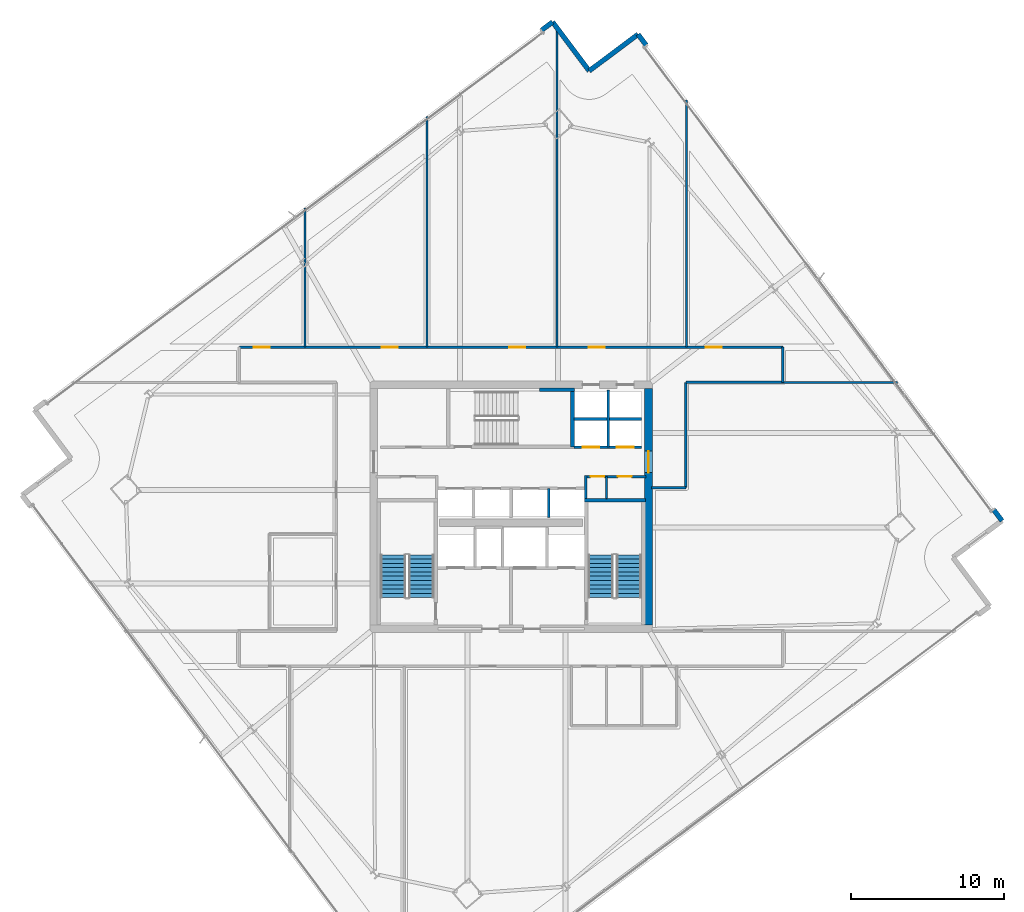
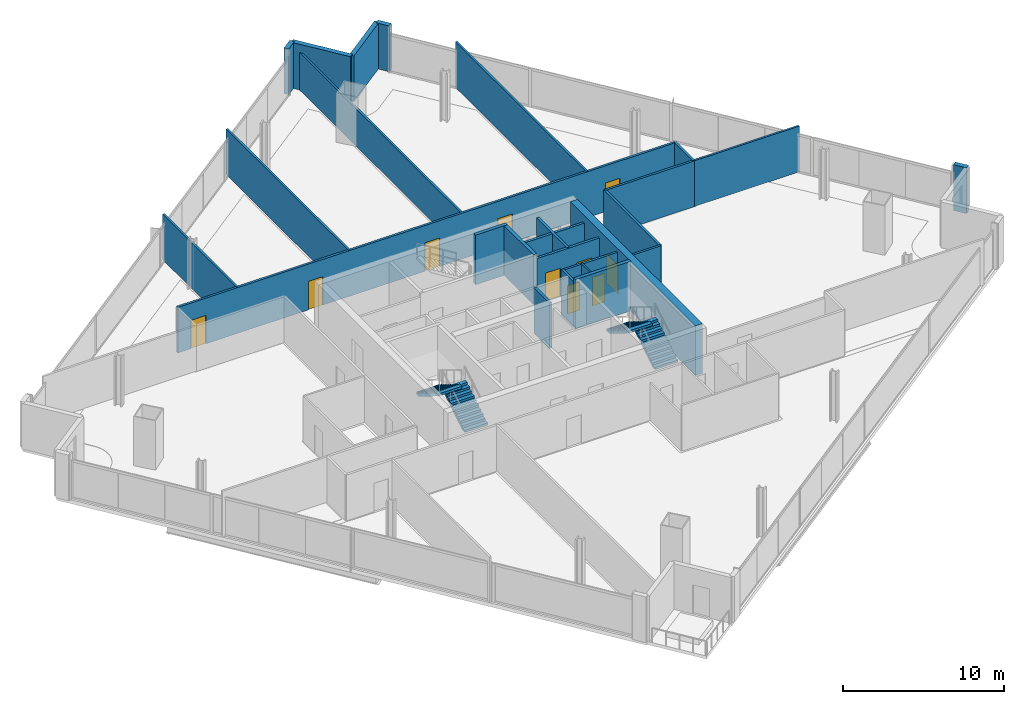
# One storey, part 26 of 32: 26 walls, 10 doors, 4 stair flights, 10 openings, 2 elements without a shape of their own.
"""IFC4 building model written with IfcOpenShell, lengths in metres."""

from ifc_helpers import new_model, si_unit, direction, frame, frame_2d, origin, place, context, subcontext, project, spatial, polyline, rectangle, outline, extrude, material, layer, layer_set, type_object, element, fill, aggregate, save


model = new_model("IFC4")

# Units and contexts
model_context = context("Model", 3, precision=1e-05, world=origin(), true_north=direction((0.0, 1.0)))
body_context = subcontext(model_context, "Body", "Model", "MODEL_VIEW")
ifc_project = project(units=[si_unit("LENGTHUNIT", "METRE"), si_unit("AREAUNIT", "SQUARE_METRE"), si_unit("VOLUMEUNIT", "CUBIC_METRE"), si_unit("PLANEANGLEUNIT", "RADIAN"), si_unit("MASSUNIT", "GRAM", prefix="KILO")], contexts=[model_context])

# Site, building, storey
site_placement = place(None, origin())
site = spatial("IfcSite", under=ifc_project, at=site_placement, CompositionType="ELEMENT")
building_placement = place(site_placement, origin())
building = spatial("IfcBuilding", under=site, at=building_placement, Name="Haldenkirk Collegiate Tower", CompositionType="ELEMENT")
storey_placement = place(building_placement, frame((0.0, 0.0, 151.949951171875)))
storey = spatial("IfcBuildingStorey", under=building, at=storey_placement, Name="L37", CompositionType="ELEMENT", Elevation=151.949951171875)

# Wall, opening, door
ifc_material_1 = material(Name="Concrete f'c 55 MPa", Category="concrete")
ifc_layer_1 = layer(ifc_material_1, 0.5)
ifc_layer_set_1 = layer_set([ifc_layer_1], Name="Concrete f'c 55 MPa")
wall_type_1 = type_object("IfcWallType", Name="WL-CORE-500", PredefinedType="SHEAR", material=ifc_layer_set_1)
wall_1_placement = place(storey_placement, frame((45.0, 18.25, 0.0), z_axis=(0.0, 0.0, 1.0), x_axis=(0.0, 1.0, 0.0)))
wall_1 = element("IfcWall", 1, at=wall_1_placement, inside=storey, type_object=wall_type_1, Name="L37 central core shear wall E", PredefinedType="SHEAR", context=body_context, shape_type="SweptSolid", body=[
    extrude(rectangle(XDim=15.5, YDim=0.5, at=frame_2d((7.75, 0.0))), origin(), (0.0, 0.0, 1.0), 3.75),
])
opening_1_placement = place(wall_1_placement, frame((9.989990234375, 0.0, 0.0)))
opening_1 = element("IfcOpeningElement", 2, at=opening_1_placement, cuts=wall_1, Name="Opening D-03", PredefinedType="OPENING", context=body_context, shape_type="SweptSolid", body=[
    extrude(rectangle(XDim=1.39990234375, YDim=2.199951171875, at=frame_2d((0.699951171875, 1.10009765625))), frame((0.0, 0.260009765625, 0.0), z_axis=(0.0, -1.0, 0.0), x_axis=(1.0, 0.0, 0.0)), (0.0, 0.0, 1.0), 0.52001953125),
])
ifc_material_2 = material(Name="Galvanized fire-rated hollow steel door", Category="steel")
ifc_layer_2 = layer(ifc_material_2, 0.06005859375)
ifc_layer_set_2 = layer_set([ifc_layer_2], Name="Galvanized fire-rated hollow steel door")
door_type_1 = type_object("IfcDoorType", Name="DR-LOBBY-FD90-1400", OperationType="NOTDEFINED", PredefinedType="DOOR", material=ifc_layer_set_2)
door_1_placement = place(opening_1_placement, origin())
door_1 = element("IfcDoor", 3, at=door_1_placement, inside=storey, type_object=door_type_1, Name="L37 east lift lobby portal", OperationType="DOUBLE_DOOR_SINGLE_SWING", OverallHeight=2.199951171875, OverallWidth=1.39990234375, PredefinedType="DOOR", context=body_context, shape_type="SweptSolid", body=[
    extrude(rectangle(XDim=1.39990234375, YDim=2.199951171875, at=frame_2d((0.699951171875, 1.10009765625))), frame((0.0, 0.02490234375, 0.0), z_axis=(0.0, -1.0, 0.0), x_axis=(1.0, 0.0, 0.0)), (0.0, 0.0, 1.0), 0.050048828125),
])
fill(opening_1, door_1)

# Walls
ifc_material_3 = material(Name="Precast concrete f'c 40 MPa", Category="concrete")
ifc_layer_3 = layer(ifc_material_3, 0.320068359375)
ifc_layer_set_3 = layer_set([ifc_layer_3], Name="Precast concrete f'c 40 MPa")
wall_type_2 = type_object("IfcWallType", Name="WL-EXT-TWR-320", PredefinedType="STANDARD", material=ifc_layer_set_3)
for number, where, z_axis, x_axis, name in (
    (4, (44.31787109375, 56.949951171875, 0.0), (0.0, 0.0, 1.0), (0.598957825591, -0.80078057117, 0.0), "L37 precast corner pier EL"),
    (5, (67.619873046875, 25.801513671875, 0.0), (0.0, 0.0, 1.0), (0.598957825591, -0.80078057117, 0.0), "L37 precast corner pier ER"),
):
    element("IfcWall", number, at=place(storey_placement, frame(where, z_axis=z_axis, x_axis=x_axis)), inside=storey, type_object=wall_type_2, Name=name, PredefinedType="STANDARD", context=body_context, shape_type="SweptSolid", body=[
        extrude(rectangle(XDim=0.89990234375, YDim=0.320068359375, at=frame_2d((0.449951171875, 0.0))), origin(), (0.0, 0.0, 1.0), 3.4599609375),
    ])
wall_2_placement = place(storey_placement, frame((41.11474609375, 54.5537109375, 0.0), z_axis=(0.0, 0.0, 1.0), x_axis=(0.800731780656, 0.599023050849, 0.0)))
element("IfcWall", 6, at=wall_2_placement, inside=storey, type_object=wall_type_2, Name="L37 bronze precast notch wall 05", PredefinedType="STANDARD", context=body_context, shape_type="SweptSolid", body=[
    extrude(rectangle(XDim=4.000244140625, YDim=0.320068359375, at=frame_2d((2.0, 0.0))), origin(), (0.0, 0.0, 1.0), 3.4599609375),
])
wall_3_placement = place(storey_placement, frame((38.71875, 57.756591796875, 0.0), z_axis=(0.0, 0.0, 1.0), x_axis=(0.599013192502, -0.800739155536, 0.0)))
element("IfcWall", 7, at=wall_3_placement, inside=storey, type_object=wall_type_2, Name="L37 bronze precast notch wall 06", PredefinedType="STANDARD", context=body_context, shape_type="SweptSolid", body=[
    extrude(rectangle(XDim=4.0, YDim=0.320068359375, at=frame_2d((2.0, 0.0))), origin(), (0.0, 0.0, 1.0), 3.4599609375),
])
wall_4_placement = place(storey_placement, frame((37.998046875, 57.217529296875, 0.0), z_axis=(0.0, 0.0, 1.0), x_axis=(0.80078057117, 0.598957825591, 0.0)))
element("IfcWall", 8, at=wall_4_placement, inside=storey, type_object=wall_type_2, Name="L37 precast corner pier NR", PredefinedType="STANDARD", context=body_context, shape_type="SweptSolid", body=[
    extrude(rectangle(XDim=0.89990234375, YDim=0.320068359375, at=frame_2d((0.449951171875, 0.0))), origin(), (0.0, 0.0, 1.0), 3.4599609375),
])

# Wall, openings, doors
ifc_material_4 = material(Name="Acoustic fire-rated gypsum partition", Category="concrete")
ifc_layer_4 = layer(ifc_material_4, 0.159912109375)
ifc_layer_set_4 = layer_set([ifc_layer_4], Name="Acoustic fire-rated gypsum partition")
wall_type_3 = type_object("IfcWallType", Name="WL-INT-CORR-160", PredefinedType="PARTITIONING", material=ifc_layer_set_4)
wall_5_placement = place(storey_placement, frame((40.800048828125, 27.97998046875, 0.0), z_axis=(0.0, 0.0, 1.0), x_axis=(1.0, 0.0, 0.0)))
wall_5 = element("IfcWall", 9, at=wall_5_placement, inside=storey, type_object=wall_type_3, Name="L37 interior partition IW-L37-VCSE-N", PredefinedType="PARTITIONING", context=body_context, shape_type="SweptSolid", body=[
    extrude(rectangle(XDim=4.050048828125, YDim=0.159912109375, at=frame_2d((2.02490234375, 0.0))), origin(), (0.0, 0.0, 1.0), 3.4599609375),
])
opening_2_placement = place(wall_5_placement, frame((0.407470703125, 0.0, 0.0)))
opening_2 = element("IfcOpeningElement", 10, at=opening_2_placement, cuts=wall_5, Name="Opening D-11", PredefinedType="OPENING", context=body_context, shape_type="SweptSolid", body=[
    extrude(rectangle(XDim=0.89990234375, YDim=2.14990234375, at=frame_2d((0.449951171875, 1.074951171875))), frame((0.0, 0.08984375, 0.0), z_axis=(0.0, -1.0, 0.0), x_axis=(1.0, 0.0, 0.0)), (0.0, 0.0, 1.0), 0.179931640625),
])
opening_3_placement = place(wall_5_placement, frame((2.199951171875, 0.0, 0.0)))
opening_3 = element("IfcOpeningElement", 11, at=opening_3_placement, cuts=wall_5, Name="Opening D-11", PredefinedType="OPENING", context=body_context, shape_type="SweptSolid", body=[
    extrude(rectangle(XDim=0.89990234375, YDim=2.14990234375, at=frame_2d((0.449951171875, 1.074951171875))), frame((0.0, 0.08984375, 0.0), z_axis=(0.0, -1.0, 0.0), x_axis=(1.0, 0.0, 0.0)), (0.0, 0.0, 1.0), 0.179931640625),
])
ifc_material_5 = material(Name="Solid-core architectural oak fire door", Category="wood")
ifc_layer_5 = layer(ifc_material_5, 0.06005859375)
ifc_layer_set_5 = layer_set([ifc_layer_5], Name="Solid-core architectural oak fire door")
door_type_2 = type_object("IfcDoorType", Name="DR-INT-FD60-900", OperationType="NOTDEFINED", PredefinedType="DOOR", material=ifc_layer_set_5)
door_2_placement = place(opening_2_placement, origin())
door_2 = element("IfcDoor", 12, at=door_2_placement, inside=storey, type_object=door_type_2, Name="L37 core copy room door", OperationType="SINGLE_SWING_RIGHT", OverallHeight=2.14990234375, OverallWidth=0.89990234375, PredefinedType="DOOR", context=body_context, shape_type="SweptSolid", body=[
    extrude(rectangle(XDim=0.89990234375, YDim=2.14990234375, at=frame_2d((0.449951171875, 1.074951171875))), frame((0.0, 0.02490234375, 0.0), z_axis=(0.0, -1.0, 0.0), x_axis=(1.0, 0.0, 0.0)), (0.0, 0.0, 1.0), 0.050048828125),
])
fill(opening_2, door_2)
door_3_placement = place(opening_3_placement, origin())
door_3 = element("IfcDoor", 13, at=door_3_placement, inside=storey, type_object=door_type_2, Name="L37 core records store door", OperationType="SINGLE_SWING_LEFT", OverallHeight=2.14990234375, OverallWidth=0.89990234375, PredefinedType="DOOR", context=body_context, shape_type="SweptSolid", body=[
    extrude(rectangle(XDim=0.89990234375, YDim=2.14990234375, at=frame_2d((0.449951171875, 1.074951171875))), frame((0.0, 0.02490234375, 0.0), z_axis=(0.0, -1.0, 0.0), x_axis=(1.0, 0.0, 0.0)), (0.0, 0.0, 1.0), 0.050048828125),
])
fill(opening_3, door_3)

# Wall
wall_6_placement = place(storey_placement, frame((40.8798828125, 26.5400390625, 0.0), z_axis=(0.0, 0.0, 1.0), x_axis=(0.0, 1.0, 0.0)))
element("IfcWall", 14, at=wall_6_placement, inside=storey, type_object=wall_type_3, Name="L37 interior partition IW-L37-VCSE-W", PredefinedType="PARTITIONING", context=body_context, shape_type="SweptSolid", body=[
    extrude(rectangle(XDim=1.510009765625, YDim=0.159912109375, at=frame_2d((0.7548828125, 0.0))), origin(), (0.0, 0.0, 1.0), 3.4599609375),
])

# Wall, openings, doors
wall_7_placement = place(storey_placement, frame((18.199951171875, 36.449951171875, 0.0), z_axis=(0.0, 0.0, 1.0), x_axis=(1.0, 0.0, 0.0)))
wall_7 = element("IfcWall", 15, at=wall_7_placement, inside=storey, type_object=wall_type_3, Name="L37 interior partition IW-L37-CN", PredefinedType="PARTITIONING", context=body_context, shape_type="SweptSolid", body=[
    extrude(rectangle(XDim=35.60009765625, YDim=0.159912109375, at=frame_2d((17.800048828125, 0.0))), origin(), (0.0, 0.0, 1.0), 3.4599609375),
])
opening_4_placement = place(wall_7_placement, frame((0.95703125, 0.0, 0.0)))
opening_4 = element("IfcOpeningElement", 16, at=opening_4_placement, cuts=wall_7, Name="Opening D-09", PredefinedType="OPENING", context=body_context, shape_type="SweptSolid", body=[
    extrude(rectangle(XDim=1.050048828125, YDim=2.14990234375, at=frame_2d((0.52490234375, 1.074951171875))), frame((0.0, 0.08984375, 0.0), z_axis=(0.0, -1.0, 0.0), x_axis=(1.0, 0.0, 0.0)), (0.0, 0.0, 1.0), 0.179931640625),
])
opening_5_placement = place(wall_7_placement, frame((9.3349609375, 0.0, 0.0)))
opening_5 = element("IfcOpeningElement", 17, at=opening_5_placement, cuts=wall_7, Name="Opening D-09", PredefinedType="OPENING", context=body_context, shape_type="SweptSolid", body=[
    extrude(rectangle(XDim=1.050048828125, YDim=2.14990234375, at=frame_2d((0.52490234375, 1.074951171875))), frame((0.0, 0.08984375, 0.0), z_axis=(0.0, -1.0, 0.0), x_axis=(1.0, 0.0, 0.0)), (0.0, 0.0, 1.0), 0.179931640625),
])
opening_6_placement = place(wall_7_placement, frame((17.675048828125, 0.0, 0.0)))
opening_6 = element("IfcOpeningElement", 18, at=opening_6_placement, cuts=wall_7, Name="Opening D-09", PredefinedType="OPENING", context=body_context, shape_type="SweptSolid", body=[
    extrude(rectangle(XDim=1.050048828125, YDim=2.14990234375, at=frame_2d((0.52490234375, 1.074951171875))), frame((0.0, 0.08984375, 0.0), z_axis=(0.0, -1.0, 0.0), x_axis=(1.0, 0.0, 0.0)), (0.0, 0.0, 1.0), 0.179931640625),
])
opening_7_placement = place(wall_7_placement, frame((22.875, 0.0, 0.0)))
opening_7 = element("IfcOpeningElement", 19, at=opening_7_placement, cuts=wall_7, Name="Opening D-09", PredefinedType="OPENING", context=body_context, shape_type="SweptSolid", body=[
    extrude(rectangle(XDim=1.050048828125, YDim=2.14990234375, at=frame_2d((0.52490234375, 1.074951171875))), frame((0.0, 0.08984375, 0.0), z_axis=(0.0, -1.0, 0.0), x_axis=(1.0, 0.0, 0.0)), (0.0, 0.0, 1.0), 0.179931640625),
])
opening_8_placement = place(wall_7_placement, frame((30.56494140625, 0.0, 0.0)))
opening_8 = element("IfcOpeningElement", 20, at=opening_8_placement, cuts=wall_7, Name="Opening D-09", PredefinedType="OPENING", context=body_context, shape_type="SweptSolid", body=[
    extrude(rectangle(XDim=1.050048828125, YDim=2.14990234375, at=frame_2d((0.52490234375, 1.074951171875))), frame((0.0, 0.08984375, 0.0), z_axis=(0.0, -1.0, 0.0), x_axis=(1.0, 0.0, 0.0)), (0.0, 0.0, 1.0), 0.179931640625),
])
ifc_layer_6 = layer(ifc_material_5, 0.06005859375)
ifc_layer_set_6 = layer_set([ifc_layer_6], Name="Solid-core architectural oak fire door")
door_type_3 = type_object("IfcDoorType", Name="DR-INT-FD60-1050", OperationType="NOTDEFINED", PredefinedType="DOOR", material=ifc_layer_set_6)
door_4_placement = place(opening_4_placement, origin())
door_4 = element("IfcDoor", 21, at=door_4_placement, inside=storey, type_object=door_type_3, Name="L37 Graduate Seminar Room 4 door", OperationType="SINGLE_SWING_LEFT", OverallHeight=2.14990234375, OverallWidth=1.050048828125, PredefinedType="DOOR", context=body_context, shape_type="SweptSolid", body=[
    extrude(rectangle(XDim=1.050048828125, YDim=2.14990234375, at=frame_2d((0.52490234375, 1.074951171875))), frame((0.0, 0.02490234375, 0.0), z_axis=(0.0, -1.0, 0.0), x_axis=(1.0, 0.0, 0.0)), (0.0, 0.0, 1.0), 0.050048828125),
])
fill(opening_4, door_4)
door_5_placement = place(opening_5_placement, origin())
door_5 = element("IfcDoor", 22, at=door_5_placement, inside=storey, type_object=door_type_3, Name="L37 Moot Court Seminar Room 5 door", OperationType="SINGLE_SWING_RIGHT", OverallHeight=2.14990234375, OverallWidth=1.050048828125, PredefinedType="DOOR", context=body_context, shape_type="SweptSolid", body=[
    extrude(rectangle(XDim=1.050048828125, YDim=2.14990234375, at=frame_2d((0.52490234375, 1.074951171875))), frame((0.0, 0.02490234375, 0.0), z_axis=(0.0, -1.0, 0.0), x_axis=(1.0, 0.0, 0.0)), (0.0, 0.0, 1.0), 0.050048828125),
])
fill(opening_5, door_5)
door_6_placement = place(opening_6_placement, origin())
door_6 = element("IfcDoor", 23, at=door_6_placement, inside=storey, type_object=door_type_3, Name="L37 Conference Room 6 door", OperationType="SINGLE_SWING_LEFT", OverallHeight=2.14990234375, OverallWidth=1.050048828125, PredefinedType="DOOR", context=body_context, shape_type="SweptSolid", body=[
    extrude(rectangle(XDim=1.050048828125, YDim=2.14990234375, at=frame_2d((0.52490234375, 1.074951171875))), frame((0.0, 0.02490234375, 0.0), z_axis=(0.0, -1.0, 0.0), x_axis=(1.0, 0.0, 0.0)), (0.0, 0.0, 1.0), 0.050048828125),
])
fill(opening_6, door_6)
door_7_placement = place(opening_7_placement, origin())
door_7 = element("IfcDoor", 24, at=door_7_placement, inside=storey, type_object=door_type_3, Name="L37 Student Wellness Clinic 7 door", OperationType="SINGLE_SWING_RIGHT", OverallHeight=2.14990234375, OverallWidth=1.050048828125, PredefinedType="DOOR", context=body_context, shape_type="SweptSolid", body=[
    extrude(rectangle(XDim=1.050048828125, YDim=2.14990234375, at=frame_2d((0.52490234375, 1.074951171875))), frame((0.0, 0.02490234375, 0.0), z_axis=(0.0, -1.0, 0.0), x_axis=(1.0, 0.0, 0.0)), (0.0, 0.0, 1.0), 0.050048828125),
])
fill(opening_7, door_7)
door_8_placement = place(opening_8_placement, origin())
door_8 = element("IfcDoor", 25, at=door_8_placement, inside=storey, type_object=door_type_3, Name="L37 Academic Counseling Clinic 8 door", OperationType="SINGLE_SWING_LEFT", OverallHeight=2.14990234375, OverallWidth=1.050048828125, PredefinedType="DOOR", context=body_context, shape_type="SweptSolid", body=[
    extrude(rectangle(XDim=1.050048828125, YDim=2.14990234375, at=frame_2d((0.52490234375, 1.074951171875))), frame((0.0, 0.02490234375, 0.0), z_axis=(0.0, -1.0, 0.0), x_axis=(1.0, 0.0, 0.0)), (0.0, 0.0, 1.0), 0.050048828125),
])
fill(opening_8, door_8)

# Walls
wall_8_placement = place(storey_placement, frame((47.449951171875, 34.14990234375, 0.0), z_axis=(0.0, 0.0, 1.0), x_axis=(1.0, 0.0, 0.0)))
element("IfcWall", 26, at=wall_8_placement, inside=storey, type_object=wall_type_3, Name="L37 interior partition IW-L37-CNE", PredefinedType="PARTITIONING", context=body_context, shape_type="SweptSolid", body=[
    extrude(rectangle(XDim=6.35009765625, YDim=0.159912109375, at=frame_2d((3.175048828125, 0.0))), origin(), (0.0, 0.0, 1.0), 3.4599609375),
])
wall_9_placement = place(storey_placement, frame((47.449951171875, 27.25, 0.0), z_axis=(0.0, 0.0, 1.0), x_axis=(0.0, 1.0, 0.0)))
element("IfcWall", 27, at=wall_9_placement, inside=storey, type_object=wall_type_3, Name="L37 interior partition IW-L37-CE", PredefinedType="PARTITIONING", context=body_context, shape_type="SweptSolid", body=[
    extrude(rectangle(XDim=6.89990234375, YDim=0.159912109375, at=frame_2d((3.449951171875, 0.0))), origin(), (0.0, 0.0, 1.0), 3.4599609375),
])
wall_10_placement = place(storey_placement, frame((45.199951171875, 27.25, 0.0), z_axis=(0.0, 0.0, 1.0), x_axis=(1.0, 0.0, 0.0)))
element("IfcWall", 28, at=wall_10_placement, inside=storey, type_object=wall_type_3, Name="L37 interior partition IW-L37-CES", PredefinedType="PARTITIONING", context=body_context, shape_type="SweptSolid", body=[
    extrude(rectangle(XDim=2.25, YDim=0.159912109375, at=frame_2d((1.125, 0.0))), origin(), (0.0, 0.0, 1.0), 3.4599609375),
])
wall_11_placement = place(storey_placement, frame((53.800048828125, 34.14990234375, 0.0), z_axis=(0.0, 0.0, 1.0), x_axis=(0.0, 1.0, 0.0)))
element("IfcWall", 29, at=wall_11_placement, inside=storey, type_object=wall_type_3, Name="L37 interior partition IW-L37-CNR", PredefinedType="PARTITIONING", context=body_context, shape_type="SweptSolid", body=[
    extrude(rectangle(XDim=2.300048828125, YDim=0.159912109375, at=frame_2d((1.14990234375, 0.0))), origin(), (0.0, 0.0, 1.0), 3.4599609375),
])
ifc_layer_7 = layer(ifc_material_4, 0.139892578125)
ifc_layer_set_7 = layer_set([ifc_layer_7], Name="Acoustic fire-rated gypsum partition")
wall_type_4 = type_object("IfcWallType", Name="WL-INT-DIV-140", PredefinedType="PARTITIONING", material=ifc_layer_set_7)
wall_12_placement = place(storey_placement, frame((53.800048828125, 34.14990234375, 0.0), z_axis=(0.0, 0.0, 1.0), x_axis=(1.0, 0.0, 0.0)))
element("IfcWall", 30, at=wall_12_placement, inside=storey, type_object=wall_type_4, Name="L37 interior partition IW-L37-BEN", PredefinedType="PARTITIONING", context=body_context, shape_type="SweptSolid", body=[
    extrude(rectangle(XDim=7.524169921875, YDim=0.139892578125, at=frame_2d((3.76220703125, 0.0))), origin(), (0.0, 0.0, 1.0), 3.4599609375),
])
wall_13_placement = place(storey_placement, frame((22.5, 36.449951171875, 0.0), z_axis=(0.0, 0.0, 1.0), x_axis=(0.0, 1.0, 0.0)))
element("IfcWall", 31, at=wall_13_placement, inside=storey, type_object=wall_type_4, Name="L37 interior partition IW-L37-RN1", PredefinedType="PARTITIONING", context=body_context, shape_type="SweptSolid", body=[
    extrude(rectangle(XDim=9.12353515625, YDim=0.139892578125, at=frame_2d((4.561767578125, 0.0))), origin(), (0.0, 0.0, 1.0), 3.4599609375),
])
wall_14_placement = place(storey_placement, frame((30.5, 36.449951171875, 0.0), z_axis=(0.0, 0.0, 1.0), x_axis=(0.0, 1.0, 0.0)))
element("IfcWall", 32, at=wall_14_placement, inside=storey, type_object=wall_type_4, Name="L37 interior partition IW-L37-RN2", PredefinedType="PARTITIONING", context=body_context, shape_type="SweptSolid", body=[
    extrude(rectangle(XDim=15.1083984375, YDim=0.139892578125, at=frame_2d((7.55419921875, 0.0))), origin(), (0.0, 0.0, 1.0), 3.4599609375),
])
wall_15_placement = place(storey_placement, frame((39.0, 36.449951171875, 0.0), z_axis=(0.0, 0.0, 1.0), x_axis=(0.0, 1.0, 0.0)))
element("IfcWall", 33, at=wall_15_placement, inside=storey, type_object=wall_type_4, Name="L37 interior partition IW-L37-RN3", PredefinedType="PARTITIONING", context=body_context, shape_type="SweptSolid", body=[
    extrude(rectangle(XDim=20.864013671875, YDim=0.139892578125, at=frame_2d((10.43212890625, 0.0))), origin(), (0.0, 0.0, 1.0), 2.839111328125),
])
wall_16_placement = place(storey_placement, frame((47.5, 36.449951171875, 0.0), z_axis=(0.0, 0.0, 1.0), x_axis=(0.0, 1.0, 0.0)))
element("IfcWall", 34, at=wall_16_placement, inside=storey, type_object=wall_type_4, Name="L37 interior partition IW-L37-RN4", PredefinedType="PARTITIONING", context=body_context, shape_type="SweptSolid", body=[
    extrude(rectangle(XDim=16.179443359375, YDim=0.139892578125, at=frame_2d((8.08984375, 0.0))), origin(), (0.0, 0.0, 1.0), 3.4599609375),
])

# Wall, openings, doors
ifc_material_6 = material(Name="Fire-rated gypsum shaftboard assembly", Category="concrete")
ifc_layer_8 = layer(ifc_material_6, 0.179931640625)
ifc_layer_set_8 = layer_set([ifc_layer_8], Name="Fire-rated gypsum shaftboard assembly")
wall_type_5 = type_object("IfcWallType", Name="WL-INT-SHAFT-180", PredefinedType="PARTITIONING", material=ifc_layer_set_8)
wall_17_placement = place(storey_placement, frame((40.1201171875, 29.89990234375, 0.0), z_axis=(0.0, 0.0, 1.0), x_axis=(1.0, 0.0, 0.0)))
wall_17 = element("IfcWall", 35, at=wall_17_placement, inside=storey, type_object=wall_type_5, Name="L37 interior partition IW-L37-PMS", PredefinedType="PARTITIONING", context=body_context, shape_type="SweptSolid", body=[
    extrude(rectangle(XDim=4.429931640625, YDim=0.179931640625, at=frame_2d((2.21484375, 0.0))), origin(), (0.0, 0.0, 1.0), 3.4599609375),
])
opening_9_placement = place(wall_17_placement, frame((0.56494140625, 0.0, 0.0)))
opening_9 = element("IfcOpeningElement", 36, at=opening_9_placement, cuts=wall_17, Name="Opening LD-11", PredefinedType="OPENING", context=body_context, shape_type="SweptSolid", body=[
    extrude(rectangle(XDim=1.10009765625, YDim=2.14990234375, at=frame_2d((0.550048828125, 1.074951171875))), frame((0.0, 0.099853515625, 0.0), z_axis=(0.0, -1.0, 0.0), x_axis=(1.0, 0.0, 0.0)), (0.0, 0.0, 1.0), 0.199951171875),
])
opening_10_placement = place(wall_17_placement, frame((2.81494140625, 0.0, 0.0)))
opening_10 = element("IfcOpeningElement", 37, at=opening_10_placement, cuts=wall_17, Name="Opening LD-11", PredefinedType="OPENING", context=body_context, shape_type="SweptSolid", body=[
    extrude(rectangle(XDim=1.10009765625, YDim=2.14990234375, at=frame_2d((0.550048828125, 1.074951171875))), frame((0.0, 0.099853515625, 0.0), z_axis=(0.0, -1.0, 0.0), x_axis=(1.0, 0.0, 0.0)), (0.0, 0.0, 1.0), 0.199951171875),
])
ifc_material_7 = material(Name="Brushed architectural stainless steel", Category="steel")
ifc_layer_9 = layer(ifc_material_7, 0.06005859375)
ifc_layer_set_9 = layer_set([ifc_layer_9], Name="Brushed architectural stainless steel")
door_type_4 = type_object("IfcDoorType", Name="LD-PASS-1100", OperationType="NOTDEFINED", PredefinedType="DOOR", material=ifc_layer_set_9)
door_9_placement = place(opening_9_placement, origin())
door_9 = element("IfcDoor", 38, at=door_9_placement, inside=storey, type_object=door_type_4, Name="L37 Elevator PM1 sliding landing door", OperationType="SLIDING_TO_LEFT", OverallHeight=2.14990234375, OverallWidth=1.10009765625, PredefinedType="DOOR", context=body_context, shape_type="SweptSolid", body=[
    extrude(rectangle(XDim=1.10009765625, YDim=2.14990234375, at=frame_2d((0.550048828125, 1.074951171875))), frame((0.0, 0.02490234375, 0.0), z_axis=(0.0, -1.0, 0.0), x_axis=(1.0, 0.0, 0.0)), (0.0, 0.0, 1.0), 0.050048828125),
])
fill(opening_9, door_9)
door_10_placement = place(opening_10_placement, origin())
door_10 = element("IfcDoor", 39, at=door_10_placement, inside=storey, type_object=door_type_4, Name="L37 Elevator PM2 sliding landing door", OperationType="SLIDING_TO_LEFT", OverallHeight=2.14990234375, OverallWidth=1.10009765625, PredefinedType="DOOR", context=body_context, shape_type="SweptSolid", body=[
    extrude(rectangle(XDim=1.10009765625, YDim=2.14990234375, at=frame_2d((0.550048828125, 1.074951171875))), frame((0.0, 0.02490234375, 0.0), z_axis=(0.0, -1.0, 0.0), x_axis=(1.0, 0.0, 0.0)), (0.0, 0.0, 1.0), 0.050048828125),
])
fill(opening_10, door_10)

# Walls
wall_18_placement = place(storey_placement, frame((40.1201171875, 31.75, 0.0), z_axis=(0.0, 0.0, 1.0), x_axis=(1.0, 0.0, 0.0)))
element("IfcWall", 40, at=wall_18_placement, inside=storey, type_object=wall_type_5, Name="L37 interior partition IW-L37-PMM", PredefinedType="PARTITIONING", context=body_context, shape_type="SweptSolid", body=[
    extrude(rectangle(XDim=4.429931640625, YDim=0.179931640625, at=frame_2d((2.21484375, 0.0))), origin(), (0.0, 0.0, 1.0), 3.4599609375),
])
wall_19_placement = place(storey_placement, frame((42.3701171875, 29.89990234375, 0.0), z_axis=(0.0, 0.0, 1.0), x_axis=(0.0, 1.0, 0.0)))
element("IfcWall", 41, at=wall_19_placement, inside=storey, type_object=wall_type_5, Name="L37 interior partition IW-L37-PMV", PredefinedType="PARTITIONING", context=body_context, shape_type="SweptSolid", body=[
    extrude(rectangle(XDim=3.75, YDim=0.179931640625, at=frame_2d((1.875, 0.0))), origin(), (0.0, 0.0, 1.0), 3.4599609375),
])
wall_20_placement = place(storey_placement, frame((38.4599609375, 25.300048828125, 0.0), z_axis=(0.0, 0.0, 1.0), x_axis=(0.0, 1.0, 0.0)))
element("IfcWall", 42, at=wall_20_placement, inside=storey, type_object=wall_type_5, Name="L37 interior partition IW-L37-PHV3", PredefinedType="PARTITIONING", context=body_context, shape_type="SweptSolid", body=[
    extrude(rectangle(XDim=1.89990234375, YDim=0.179931640625, at=frame_2d((0.949951171875, 0.0))), origin(), (0.0, 0.0, 1.0), 3.4599609375),
])
ifc_layer_10 = layer(ifc_material_4, 0.1201171875)
ifc_layer_set_10 = layer_set([ifc_layer_10], Name="Acoustic fire-rated gypsum partition")
wall_type_6 = type_object("IfcWallType", Name="WL-INT-WET-120", PredefinedType="PARTITIONING", material=ifc_layer_set_10)
wall_21_placement = place(storey_placement, frame((42.25, 26.5400390625, 0.0), z_axis=(0.0, 0.0, 1.0), x_axis=(0.0, 1.0, 0.0)))
element("IfcWall", 43, at=wall_21_placement, inside=storey, type_object=wall_type_6, Name="L37 interior partition IW-L37-VCSE-M", PredefinedType="PARTITIONING", context=body_context, shape_type="SweptSolid", body=[
    extrude(rectangle(XDim=1.43994140625, YDim=0.1201171875, at=frame_2d((0.719970703125, 0.0))), origin(), (0.0, 0.0, 1.0), 3.4599609375),
])
ifc_layer_11 = layer(ifc_material_1, 0.239990234375)
ifc_layer_set_11 = layer_set([ifc_layer_11], Name="Concrete f'c 55 MPa")
wall_type_7 = type_object("IfcWallType", Name="WL-SHAFT-240", PredefinedType="SHEAR", material=ifc_layer_set_11)
wall_22_placement = place(storey_placement, frame((40.81005859375, 26.419921875, 0.0), z_axis=(0.0, 0.0, 1.0), x_axis=(1.0, 0.0, 0.0)))
element("IfcWall", 44, at=wall_22_placement, inside=storey, type_object=wall_type_7, Name="L37 stair shaft shear wall SW-L37-ST2N", PredefinedType="SHEAR", context=body_context, shape_type="SweptSolid", body=[
    extrude(rectangle(XDim=3.97998046875, YDim=0.239990234375, at=frame_2d((1.989990234375, 0.0))), origin(), (0.0, 0.0, 1.0), 3.75),
])
wall_23_placement = place(storey_placement, frame((40.02001953125, 29.929931640625, 0.0), z_axis=(0.0, 0.0, 1.0), x_axis=(0.0, 1.0, 0.0)))
element("IfcWall", 45, at=wall_23_placement, inside=storey, type_object=wall_type_7, Name="L37 stair shaft shear wall SW-L37-ST3E", PredefinedType="SHEAR", context=body_context, shape_type="SweptSolid", body=[
    extrude(rectangle(XDim=3.85009765625, YDim=0.239990234375, at=frame_2d((1.925048828125, 0.0))), origin(), (0.0, 0.0, 1.0), 3.75),
])
wall_24_placement = place(storey_placement, frame((37.85009765625, 33.659912109375, 0.0), z_axis=(0.0, 0.0, 1.0), x_axis=(1.0, 0.0, 0.0)))
element("IfcWall", 46, at=wall_24_placement, inside=storey, type_object=wall_type_7, Name="L37 stair shaft shear wall SW-L37-ST3N", PredefinedType="SHEAR", context=body_context, shape_type="SweptSolid", body=[
    extrude(rectangle(XDim=2.289794921875, YDim=0.239990234375, at=frame_2d((1.14501953125, 0.0))), origin(), (0.0, 0.0, 1.0), 3.75),
])

# Stair, stair flights
ifc_material_8 = material(Name="Concrete f'c 40 MPa", Category="concrete")
stair_type = type_object("IfcStairType", Name="STR-DOGLEG-1650", PredefinedType="HALF_TURN_STAIR", material=ifc_material_8)
stair_1_placement = place(storey_placement, origin())
stair_1 = element("IfcStair", 47, at=stair_1_placement, inside=storey, type_object=stair_type, Name="L37 Core Exit Stair ST-1", PredefinedType="HALF_TURN_STAIR")
stair_flight_type = type_object("IfcStairFlightType", Name="STF-FLIGHT-1650", PredefinedType="STRAIGHT", material=ifc_material_8)
stair_flight_1_placement = place(storey_placement, frame((30.125, 20.050048828125, 0.0), z_axis=(0.0, 0.0, 1.0), x_axis=(0.0, 1.0, 0.0)))
stair_flight_1 = element("IfcStairFlight", 48, at=stair_flight_1_placement, type_object=stair_flight_type, Name="ST-1 flight 1", NumberOfRisers=11, NumberOfTreads=10, PredefinedType="STRAIGHT", RiserHeight=0.170454545, TreadLength=0.28, context=body_context, shape_type="SweptSolid", body=[
    extrude(outline(polyline([(0.0, 0.0), (0.0, 0.17041015625), (0.280029296875, 0.17041015625), (0.280029296875, 0.3408203125), (0.56005859375, 0.3408203125), (0.56005859375, 0.511474609375), (0.840087890625, 0.511474609375), (0.840087890625, 0.681884765625), (1.1201171875, 0.681884765625), (1.1201171875, 0.852294921875), (1.39990234375, 0.852294921875), (1.39990234375, 1.022705078125), (1.679931640625, 1.022705078125), (1.679931640625, 1.193115234375), (1.9599609375, 1.193115234375), (1.9599609375, 1.363525390625), (2.239990234375, 1.363525390625), (2.239990234375, 1.5341796875), (2.52001953125, 1.5341796875), (2.52001953125, 1.70458984375), (2.800048828125, 1.70458984375), (2.800048828125, 1.875), (2.800048828125, 1.529052734375), (0.288330078125, 0.0), (0.0, 0.0)])), frame((0.0, 0.824951171875, 0.0), z_axis=(0.0, -1.0, 0.0), x_axis=(1.0, 0.0, 0.0)), (0.0, 0.0, 1.0), 1.64990234375),
])
stair_flight_2_placement = place(storey_placement, frame((28.27490234375, 22.85009765625, 1.875), z_axis=(0.0, 0.0, 1.0), x_axis=(0.0, -1.0, 0.0)))
stair_flight_2 = element("IfcStairFlight", 49, at=stair_flight_2_placement, type_object=stair_flight_type, Name="ST-1 flight 2", NumberOfRisers=11, NumberOfTreads=10, PredefinedType="STRAIGHT", RiserHeight=0.170454545, TreadLength=0.28, context=body_context, shape_type="SweptSolid", body=[
    extrude(outline(polyline([(0.0, 0.0), (0.0, 0.17041015625), (0.280029296875, 0.17041015625), (0.280029296875, 0.3408203125), (0.56005859375, 0.3408203125), (0.56005859375, 0.511474609375), (0.840087890625, 0.511474609375), (0.840087890625, 0.681884765625), (1.1201171875, 0.681884765625), (1.1201171875, 0.852294921875), (1.39990234375, 0.852294921875), (1.39990234375, 1.022705078125), (1.679931640625, 1.022705078125), (1.679931640625, 1.193115234375), (1.9599609375, 1.193115234375), (1.9599609375, 1.363525390625), (2.239990234375, 1.363525390625), (2.239990234375, 1.5341796875), (2.52001953125, 1.5341796875), (2.52001953125, 1.70458984375), (2.800048828125, 1.70458984375), (2.800048828125, 1.875), (2.800048828125, 1.529052734375), (0.288330078125, 0.0), (0.0, 0.0)])), frame((0.0, 0.824951171875, 0.0), z_axis=(0.0, -1.0, 0.0), x_axis=(1.0, 0.0, 0.0)), (0.0, 0.0, 1.0), 1.64990234375),
])
aggregate(stair_1, [stair_flight_1, stair_flight_2])

stair_2_placement = place(storey_placement, origin())
stair_2 = element("IfcStair", 50, at=stair_2_placement, inside=storey, type_object=stair_type, Name="L37 Core Exit Stair ST-2", PredefinedType="HALF_TURN_STAIR")
stair_flight_3_placement = place(storey_placement, frame((43.72509765625, 20.050048828125, 0.0), z_axis=(0.0, 0.0, 1.0), x_axis=(0.0, 1.0, 0.0)))
stair_flight_3 = element("IfcStairFlight", 51, at=stair_flight_3_placement, type_object=stair_flight_type, Name="ST-2 flight 1", NumberOfRisers=11, NumberOfTreads=10, PredefinedType="STRAIGHT", RiserHeight=0.170454545, TreadLength=0.28, context=body_context, shape_type="SweptSolid", body=[
    extrude(outline(polyline([(0.0, 0.0), (0.0, 0.17041015625), (0.280029296875, 0.17041015625), (0.280029296875, 0.3408203125), (0.56005859375, 0.3408203125), (0.56005859375, 0.511474609375), (0.840087890625, 0.511474609375), (0.840087890625, 0.681884765625), (1.1201171875, 0.681884765625), (1.1201171875, 0.852294921875), (1.39990234375, 0.852294921875), (1.39990234375, 1.022705078125), (1.679931640625, 1.022705078125), (1.679931640625, 1.193115234375), (1.9599609375, 1.193115234375), (1.9599609375, 1.363525390625), (2.239990234375, 1.363525390625), (2.239990234375, 1.5341796875), (2.52001953125, 1.5341796875), (2.52001953125, 1.70458984375), (2.800048828125, 1.70458984375), (2.800048828125, 1.875), (2.800048828125, 1.529052734375), (0.288330078125, 0.0), (0.0, 0.0)])), frame((0.0, 0.824951171875, 0.0), z_axis=(0.0, -1.0, 0.0), x_axis=(1.0, 0.0, 0.0)), (0.0, 0.0, 1.0), 1.64990234375),
])
stair_flight_4_placement = place(storey_placement, frame((41.875, 22.85009765625, 1.875), z_axis=(0.0, 0.0, 1.0), x_axis=(0.0, -1.0, 0.0)))
stair_flight_4 = element("IfcStairFlight", 52, at=stair_flight_4_placement, type_object=stair_flight_type, Name="ST-2 flight 2", NumberOfRisers=11, NumberOfTreads=10, PredefinedType="STRAIGHT", RiserHeight=0.170454545, TreadLength=0.28, context=body_context, shape_type="SweptSolid", body=[
    extrude(outline(polyline([(0.0, 0.0), (0.0, 0.17041015625), (0.280029296875, 0.17041015625), (0.280029296875, 0.3408203125), (0.56005859375, 0.3408203125), (0.56005859375, 0.511474609375), (0.840087890625, 0.511474609375), (0.840087890625, 0.681884765625), (1.1201171875, 0.681884765625), (1.1201171875, 0.852294921875), (1.39990234375, 0.852294921875), (1.39990234375, 1.022705078125), (1.679931640625, 1.022705078125), (1.679931640625, 1.193115234375), (1.9599609375, 1.193115234375), (1.9599609375, 1.363525390625), (2.239990234375, 1.363525390625), (2.239990234375, 1.5341796875), (2.52001953125, 1.5341796875), (2.52001953125, 1.70458984375), (2.800048828125, 1.70458984375), (2.800048828125, 1.875), (2.800048828125, 1.529052734375), (0.288330078125, 0.0), (0.0, 0.0)])), frame((0.0, 0.824951171875, 0.0), z_axis=(0.0, -1.0, 0.0), x_axis=(1.0, 0.0, 0.0)), (0.0, 0.0, 1.0), 1.64990234375),
])
aggregate(stair_2, [stair_flight_3, stair_flight_4])

save(model, "model.ifc")
